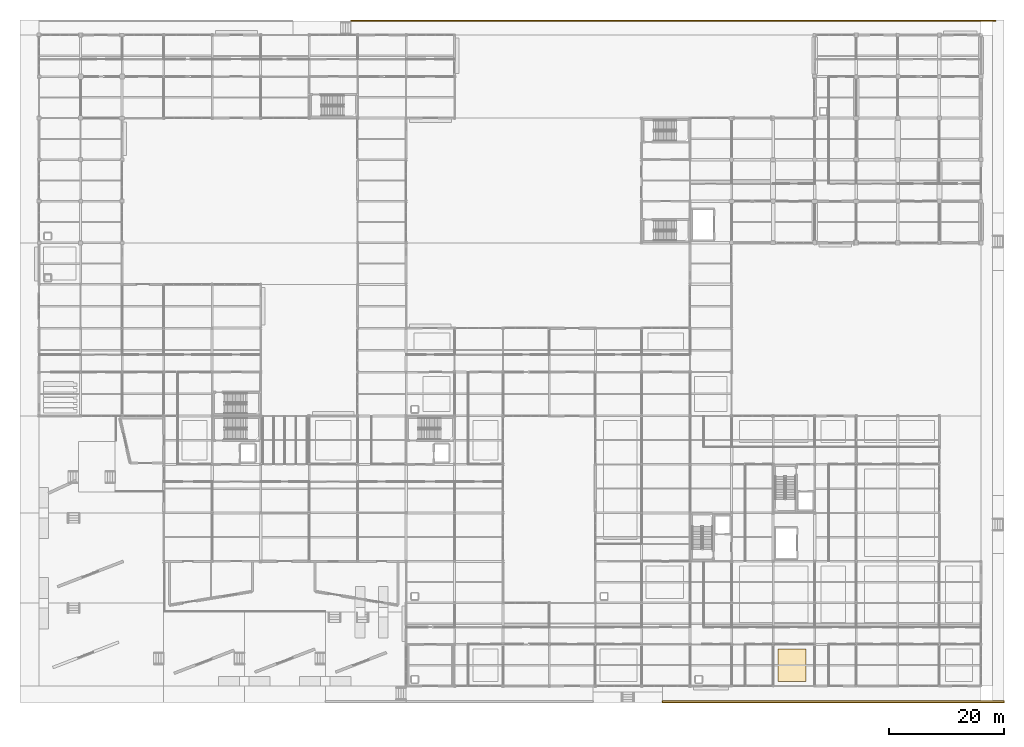
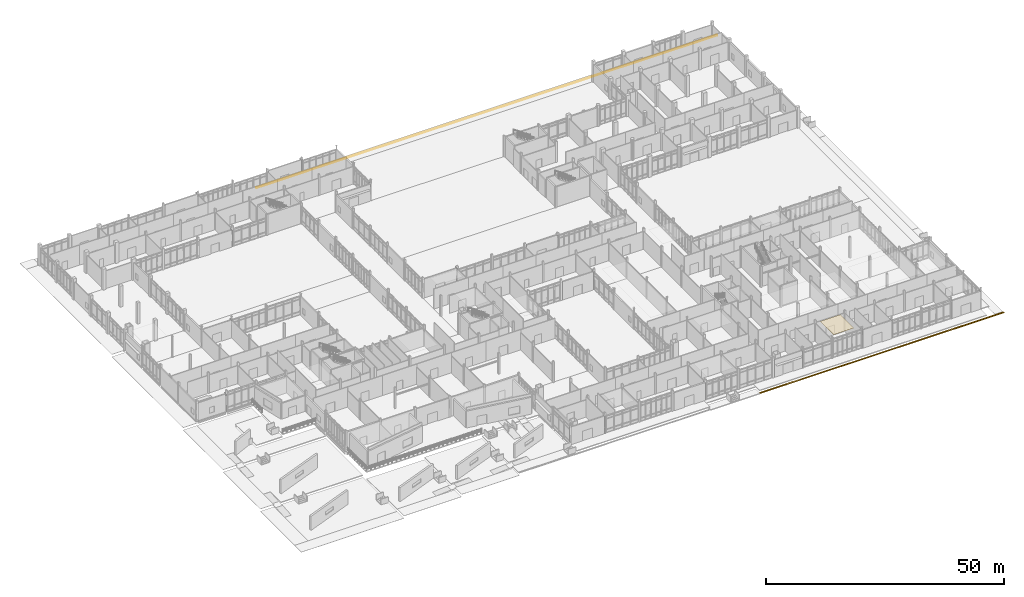
# One storey, part 223 of 229: 3 coverings.
"""IFC4 building model written with IfcOpenShell, lengths in metres."""

from ifc_helpers import new_model, si_unit, direction, frame, origin, place, context, subcontext, project, spatial, polyline, outline, extrude, material, layer, layer_set, type_object, element, save


model = new_model("IFC4")

# Units and contexts
model_context = context("Model", 3, precision=1e-05, world=origin(), true_north=direction((0.0, 1.0)))
body_context = subcontext(model_context, "Body", "Model", "MODEL_VIEW")
ifc_project = project(units=[si_unit("LENGTHUNIT", "METRE"), si_unit("AREAUNIT", "SQUARE_METRE"), si_unit("VOLUMEUNIT", "CUBIC_METRE"), si_unit("PLANEANGLEUNIT", "RADIAN"), si_unit("MASSUNIT", "GRAM", prefix="KILO")], contexts=[model_context])

# Site, building, storey
site_placement = place(None, origin())
site = spatial("IfcSite", under=ifc_project, at=site_placement, CompositionType="ELEMENT")
building_placement = place(site_placement, origin())
building = spatial("IfcBuilding", under=site, at=building_placement, Name="Calvrana Isthmian Art Gallery", CompositionType="ELEMENT")
storey_placement = place(building_placement, origin())
storey = spatial("IfcBuildingStorey", under=building, at=storey_placement, Name="L00", CompositionType="ELEMENT", Elevation=0.0)

# Coverings
ifc_material_1 = material(Name="Acoustic gypsum ceiling", Category="gypsum")
ifc_layer_1 = layer(ifc_material_1, 0.0400390625, Name="Acoustic gypsum ceiling")
ifc_layer_set_1 = layer_set([ifc_layer_1], Name="Acoustic gypsum ceiling")
covering_type_1 = type_object("IfcCoveringType", Name="COV-CEIL-ACOUST", PredefinedType="CEILING", material=ifc_layer_set_1)
covering_1_placement = place(storey_placement, frame((0.0, 0.0, 5.162109375)))
element("IfcCovering", 1, at=covering_1_placement, inside=storey, type_object=covering_type_1, Name="Gallery acoustic ceiling 12", PredefinedType="CEILING", context=body_context, shape_type="SweptSolid", body=[
    extrude(outline(polyline([(128.0, 0.800048828125), (132.89990234375, 0.800048828125), (132.89990234375, 6.429931640625), (128.0, 6.429931640625), (128.0, 0.800048828125)])), origin(), (0.0, 0.0, 1.0), 0.039794921875),
])
ifc_material_2 = material(Name="Pale Isthmian limestone", Category="masonry")
ifc_layer_2 = layer(ifc_material_2, 0.080078125, Name="Pale Isthmian limestone")
ifc_layer_set_2 = layer_set([ifc_layer_2], Name="Pale Isthmian limestone")
covering_type_2 = type_object("IfcCoveringType", Name="COV-SITE-PAVING", PredefinedType="USERDEFINED", material=ifc_layer_set_2)
covering_2_placement = place(storey_placement, frame((0.0, 0.0, -0.679931640625)))
element("IfcCovering", 2, at=covering_2_placement, inside=storey, type_object=covering_type_2, Name="Stepped hillside grade paving bench PAV_SE_E", ObjectType="PAVING", PredefinedType="USERDEFINED", context=body_context, shape_type="SweptSolid", body=[
    extrude(outline(polyline([(108.0, -2.89990234375), (167.199951171875, -2.89990234375), (167.199951171875, -2.597900390625), (108.0, -2.597900390625), (108.0, -2.89990234375)])), origin(), (0.0, 0.0, 1.0), 0.079833984375),
])
covering_3_placement = place(storey_placement, frame((0.0, 0.0, -0.679931640625)))
element("IfcCovering", 3, at=covering_3_placement, inside=storey, type_object=covering_type_2, Name="Stepped hillside grade paving bench PAV_N_EAST", ObjectType="PAVING", PredefinedType="USERDEFINED", context=body_context, shape_type="SweptSolid", body=[
    extrude(outline(polyline([(54.0, 115.197998046875), (165.800048828125, 115.197998046875), (165.800048828125, 115.39990234375), (54.0, 115.39990234375), (54.0, 115.197998046875)])), origin(), (0.0, 0.0, 1.0), 0.079833984375),
])

save(model, "model.ifc")
